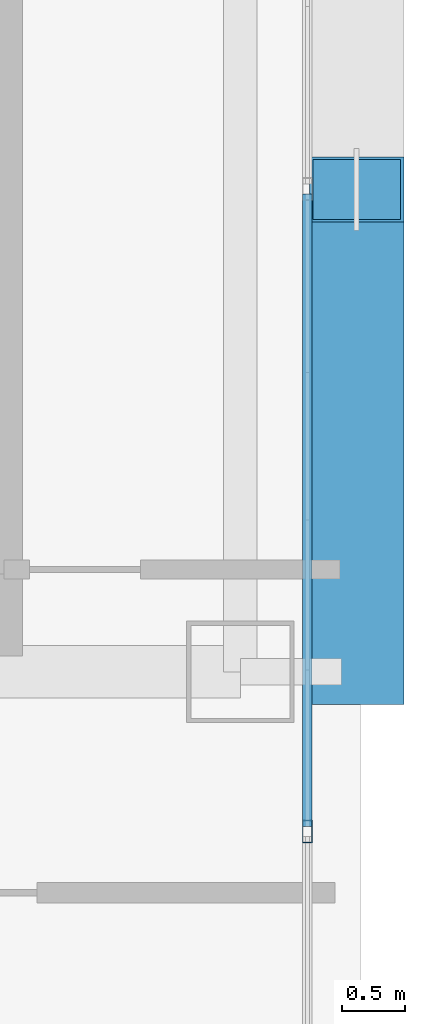
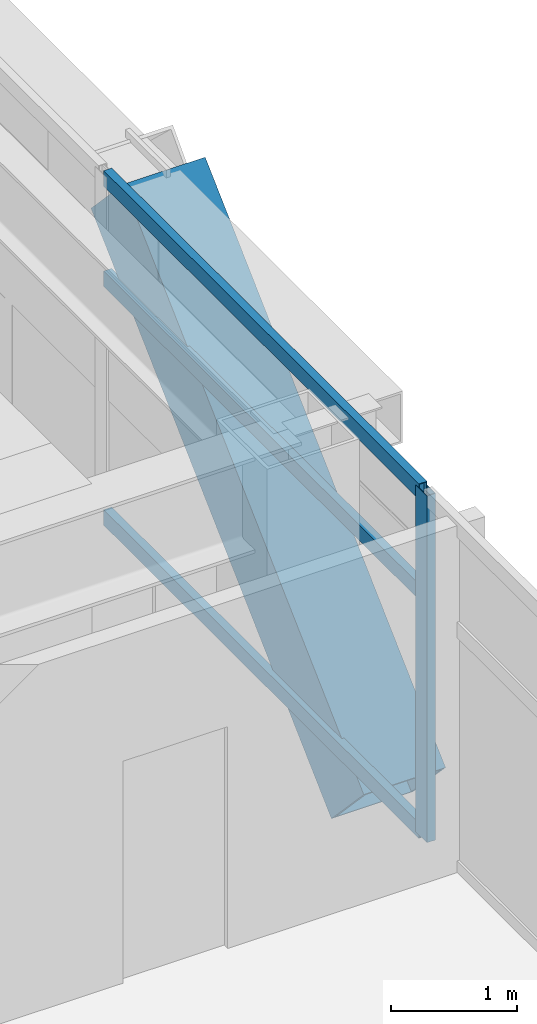
# One storey, part 14 of 39: 5 members, 1 element without a shape of its own.
"""IFC4 building model written with IfcOpenShell, lengths in metres."""

from ifc_helpers import new_model, si_unit, direction, frame, origin, origin_2d, place, context, subcontext, project, spatial, hollow_rectangle, extrude, source, transform, mapped, material, layer, layer_set, material_profile, profile_set, type_object, element, aggregate, save


model = new_model("IFC4")

# Units and contexts
model_context = context("Model", 3, precision=1e-05, world=origin(), true_north=direction((0.0, 1.0)))
body_context = subcontext(model_context, "Body", "Model", "MODEL_VIEW")
ifc_project = project(units=[si_unit("LENGTHUNIT", "METRE"), si_unit("AREAUNIT", "SQUARE_METRE"), si_unit("VOLUMEUNIT", "CUBIC_METRE"), si_unit("PLANEANGLEUNIT", "RADIAN"), si_unit("MASSUNIT", "GRAM", prefix="KILO")], contexts=[model_context])

# Site, building, storey
site_placement = place(None, origin())
site = spatial("IfcSite", under=ifc_project, at=site_placement, CompositionType="ELEMENT")
building_placement = place(site_placement, origin())
building = spatial("IfcBuilding", under=site, at=building_placement, Name="Ocotamira Hotel", CompositionType="ELEMENT")
storey_placement = place(building_placement, frame((0.0, 0.0, 104.39990234375)))
storey = spatial("IfcBuildingStorey", under=building, at=storey_placement, Name="L25", CompositionType="ELEMENT", Elevation=104.39990234375)

# Member
ifc_material_1 = material(Name="Pale-metal coated steel ASTM A913 Grade 65", Category="steel")
ifc_material_profile_1 = material_profile(ifc_material_1, hollow_rectangle(XDim=0.75, YDim=0.75, WallThickness=0.028076171875, at=origin_2d()), Name="BOX750X750X28")
ifc_profile_set_1 = profile_set([ifc_material_profile_1], Name="Pale-metal coated steel ASTM A913 Grade 65")
member_type_1 = type_object("IfcMemberType", Name="MEM-EXO-BOX750", PredefinedType="BRACE", material=ifc_profile_set_1)
shared_shape_1 = source(origin(), body_context, "Body", "SweptSolid", [
    extrude(hollow_rectangle(XDim=0.75, YDim=0.75, WallThickness=0.028076171875, at=origin_2d()), origin(), (0.0, 0.0, 1.0), 5.24658203125),
])
member_1_placement = place(storey_placement, frame((55.969970703125, 14.550048828125, -0.489990234375), z_axis=(0.0, 0.727442733726, 0.686168397078), x_axis=(-1.0, 0.0, 0.0)))
element("IfcMember", 1, at=member_1_placement, inside=storey, type_object=member_type_1, Name="L25 Exoskeleton Diagrid E0.1", PredefinedType="BRACE", context=body_context, shape_type="MappedRepresentation", body=[
    mapped(shared_shape_1, transform((0.0, 0.0, 0.0), scale=1.0)),
])

# Curtain wall, members
ifc_material_2 = material(Name="Anodised pale-metal aluminium and solar glass", Category="aluminium")
ifc_layer = layer(ifc_material_2, 0.179931640625)
ifc_layer_set = layer_set([ifc_layer], Name="Anodised pale-metal aluminium and solar glass")
curtain_wall_type = type_object("IfcCurtainWallType", Name="CW-SYS3-Z2", PredefinedType="NOTDEFINED", material=ifc_layer_set)
curtain_wall_placement = place(storey_placement, origin())
curtain_wall = element("IfcCurtainWall", 2, at=curtain_wall_placement, inside=storey, type_object=curtain_wall_type, Name="L25 Curtain Wall CW-3 CW-L25-E", PredefinedType="NOTDEFINED")
ifc_material_3 = material(Name="Anodised pale-metal aluminium 6063-T6", Category="aluminium")
ifc_material_profile_2 = material_profile(ifc_material_3, hollow_rectangle(XDim=0.074951171875, YDim=0.14990234375, WallThickness=0.006103515625, at=origin_2d()), Name="HSS150X75X6")
ifc_profile_set_2 = profile_set([ifc_material_profile_2], Name="Anodised pale-metal aluminium 6063-T6")
member_type_2 = type_object("IfcMemberType", Name="CWT-150X75", PredefinedType="USERDEFINED", material=ifc_profile_set_2)
shared_shape_2 = source(origin(), body_context, "Body", "SweptSolid", [
    extrude(hollow_rectangle(XDim=0.074951171875, YDim=0.14990234375, WallThickness=0.006103515625, at=origin_2d()), origin(), (0.0, 0.0, 1.0), 5.005859375),
])
member_2_placement = place(storey_placement, frame((55.580078125, 13.32568359375, 0.03759765625), z_axis=(0.0, 1.0, 0.0), x_axis=(-1.0, 0.0, 0.0)))
member_2 = element("IfcMember", 3, at=member_2_placement, type_object=member_type_2, Name="CW-3 transom 2.1", ObjectType="TRANSOM", PredefinedType="USERDEFINED", context=body_context, shape_type="MappedRepresentation", body=[
    mapped(shared_shape_2, transform((0.0, 0.0, 0.0), scale=1.0)),
])
member_3_placement = place(storey_placement, frame((55.580078125, 13.32568359375, 2.35009765625), z_axis=(0.0, 1.0, 0.0), x_axis=(-1.0, 0.0, 0.0)))
member_3 = element("IfcMember", 4, at=member_3_placement, type_object=member_type_2, Name="CW-3 transom 2.2", ObjectType="TRANSOM", PredefinedType="USERDEFINED", context=body_context, shape_type="MappedRepresentation", body=[
    mapped(shared_shape_2, transform((0.0, 0.0, 0.0), scale=1.0)),
])
member_4_placement = place(storey_placement, frame((55.580078125, 13.32568359375, 3.322509765625), z_axis=(0.0, 1.0, 0.0), x_axis=(-1.0, 0.0, 0.0)))
member_4 = element("IfcMember", 5, at=member_4_placement, type_object=member_type_2, Name="CW-3 transom 2.3", ObjectType="TRANSOM", PredefinedType="USERDEFINED", context=body_context, shape_type="MappedRepresentation", body=[
    mapped(shared_shape_2, transform((0.0, 0.0, 0.0), scale=1.0)),
])
ifc_material_profile_3 = material_profile(ifc_material_3, hollow_rectangle(XDim=0.080078125, YDim=0.179931640625, WallThickness=0.006103515625, at=origin_2d()), Name="HSS180X80X6")
ifc_profile_set_3 = profile_set([ifc_material_profile_3], Name="Anodised pale-metal aluminium 6063-T6")
member_type_3 = type_object("IfcMemberType", Name="CWM-180X75", PredefinedType="MULLION", material=ifc_profile_set_3)
shared_shape_3 = source(origin(), body_context, "Body", "SweptSolid", [
    extrude(hollow_rectangle(XDim=0.080078125, YDim=0.179931640625, WallThickness=0.006103515625, at=origin_2d()), origin(), (0.0, 0.0, 1.0), 3.360107421875),
])
member_5_placement = place(storey_placement, frame((55.580078125, 13.28564453125, 0.0), z_axis=(0.0, 0.0, 1.0), x_axis=(-1.0, 0.0, 0.0)))
member_5 = element("IfcMember", 6, at=member_5_placement, type_object=member_type_3, Name="CW-3 mullion 2", PredefinedType="MULLION", context=body_context, shape_type="MappedRepresentation", body=[
    mapped(shared_shape_3, transform((0.0, 0.0, 0.0), scale=1.0)),
])
aggregate(curtain_wall, [member_5, member_2, member_3, member_4])

save(model, "model.ifc")
